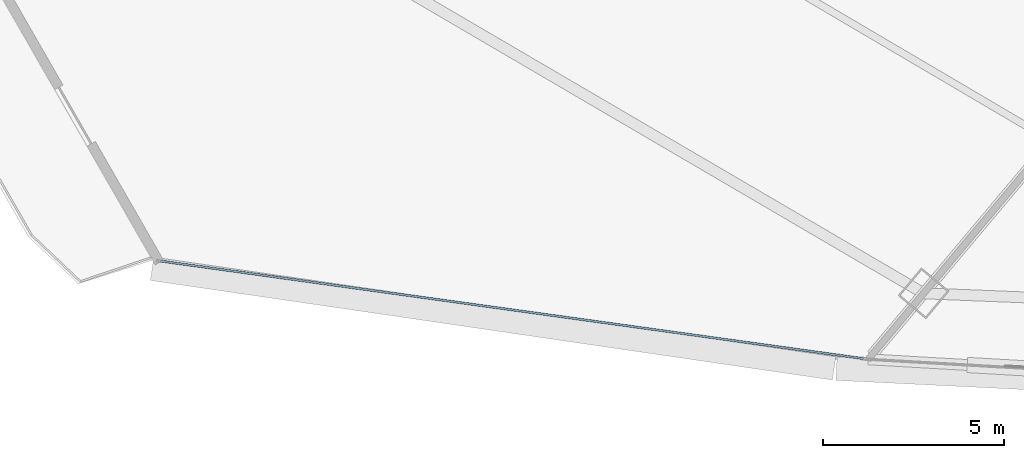
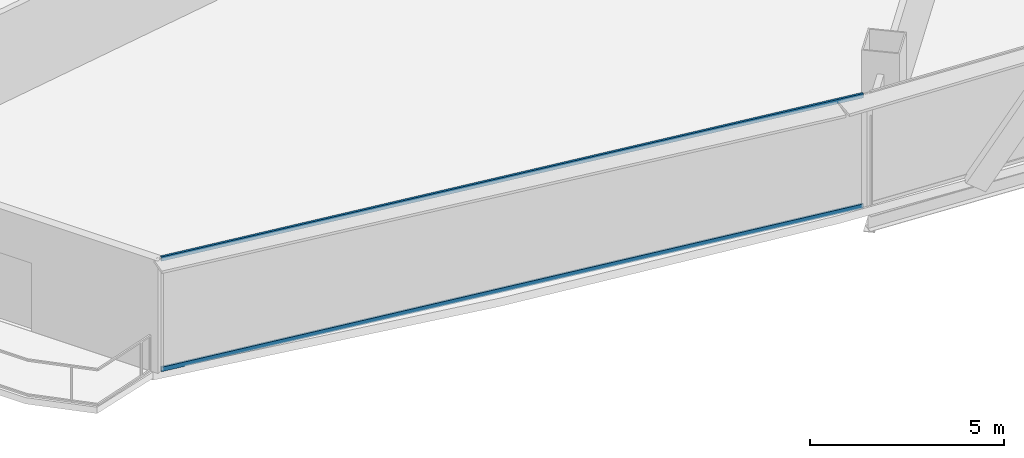
# One storey, part 3 of 37: 2 members, 1 element without a shape of its own.
"""IFC4 building model written with IfcOpenShell, lengths in metres."""

from ifc_helpers import new_model, si_unit, direction, frame, origin, origin_2d, place, context, subcontext, project, spatial, hollow_rectangle, extrude, source, transform, mapped, material, layer, layer_set, material_profile, profile_set, type_object, element, aggregate, save


model = new_model("IFC4")

# Units and contexts
model_context = context("Model", 3, precision=1e-05, world=origin(), true_north=direction((0.0, 1.0)))
body_context = subcontext(model_context, "Body", "Model", "MODEL_VIEW")
ifc_project = project(units=[si_unit("LENGTHUNIT", "METRE"), si_unit("AREAUNIT", "SQUARE_METRE"), si_unit("VOLUMEUNIT", "CUBIC_METRE"), si_unit("PLANEANGLEUNIT", "RADIAN"), si_unit("MASSUNIT", "GRAM", prefix="KILO"), si_unit("THERMODYNAMICTEMPERATUREUNIT", "KELVIN"), si_unit("POWERUNIT", "WATT")], contexts=[model_context])

# Site, building, storey
site_placement = place(None, origin())
site = spatial("IfcSite", under=ifc_project, at=site_placement, CompositionType="ELEMENT")
building_placement = place(site_placement, origin())
building = spatial("IfcBuilding", under=site, at=building_placement, Name="Yunzhuo Pagoda Commons", CompositionType="ELEMENT")
storey_placement = place(building_placement, frame((0.0, 0.0, 84.97998046875)))
storey = spatial("IfcBuildingStorey", under=building, at=storey_placement, Name="L21", CompositionType="ELEMENT", Elevation=84.97998046875)

# Curtain wall, members
ifc_material = material(Name="Anodized aluminium 6063-T6", Category="aluminium")
ifc_layer = layer(ifc_material, 0.1650390625)
ifc_layer_set = layer_set([ifc_layer], Name="Anodized aluminium 6063-T6")
curtain_wall_type = type_object("IfcCurtainWallType", Name="CW-LOW Low-Zone Ribbon Curtain Wall", PredefinedType="NOTDEFINED", material=ifc_layer_set)
curtain_wall_placement = place(storey_placement, origin())
curtain_wall = element("IfcCurtainWall", 1, at=curtain_wall_placement, inside=storey, type_object=curtain_wall_type, Name="L21 curtain wall CW-L21-F1B1", PredefinedType="NOTDEFINED")
ifc_material_profile = material_profile(ifc_material, hollow_rectangle(XDim=0.06005859375, YDim=0.139892578125, WallThickness=0.00341796875, at=origin_2d()), Name="Anodized aluminium 6063-T6")
ifc_profile_set = profile_set([ifc_material_profile], Name="Anodized aluminium 6063-T6")
member_type = type_object("IfcMemberType", Name="CW-LOW-T Transom RHS 140x60x3.5", PredefinedType="USERDEFINED", material=ifc_profile_set)
shared_shape = source(origin(), body_context, "Body", "SweptSolid", [
    extrude(hollow_rectangle(XDim=0.06005859375, YDim=0.139892578125, WallThickness=0.00341796875, at=origin_2d()), origin(), (0.0, 0.0, 1.0), 19.557861328125),
])
member_1_placement = place(storey_placement, frame((10.527099609375, 15.001953125, 0.030029296875), z_axis=(0.990501720506, -0.137500333359, 0.0), x_axis=(0.137500333359, 0.990501720506, 0.0)))
member_1 = element("IfcMember", 2, at=member_1_placement, type_object=member_type, Name="CW transom 1.1", ObjectType="TRANSOM", PredefinedType="USERDEFINED", context=body_context, shape_type="MappedRepresentation", body=[
    mapped(shared_shape, transform((0.0, 0.0, 0.0), scale=1.0)),
])
member_2_placement = place(storey_placement, frame((10.527099609375, 15.001953125, 3.510009765625), z_axis=(0.990501720506, -0.137500333359, 0.0), x_axis=(0.137500333359, 0.990501720506, 0.0)))
member_2 = element("IfcMember", 3, at=member_2_placement, type_object=member_type, Name="CW transom 1.2", ObjectType="TRANSOM", PredefinedType="USERDEFINED", context=body_context, shape_type="MappedRepresentation", body=[
    mapped(shared_shape, transform((0.0, 0.0, 0.0), scale=1.0)),
])
aggregate(curtain_wall, [member_1, member_2])

save(model, "model.ifc")
